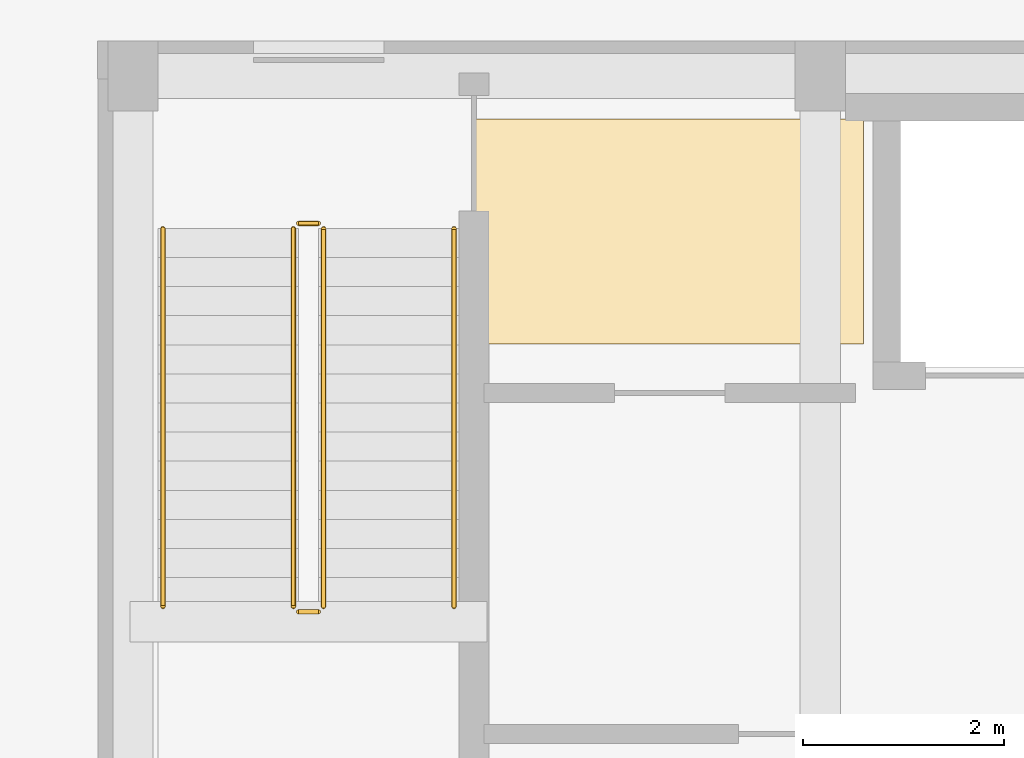
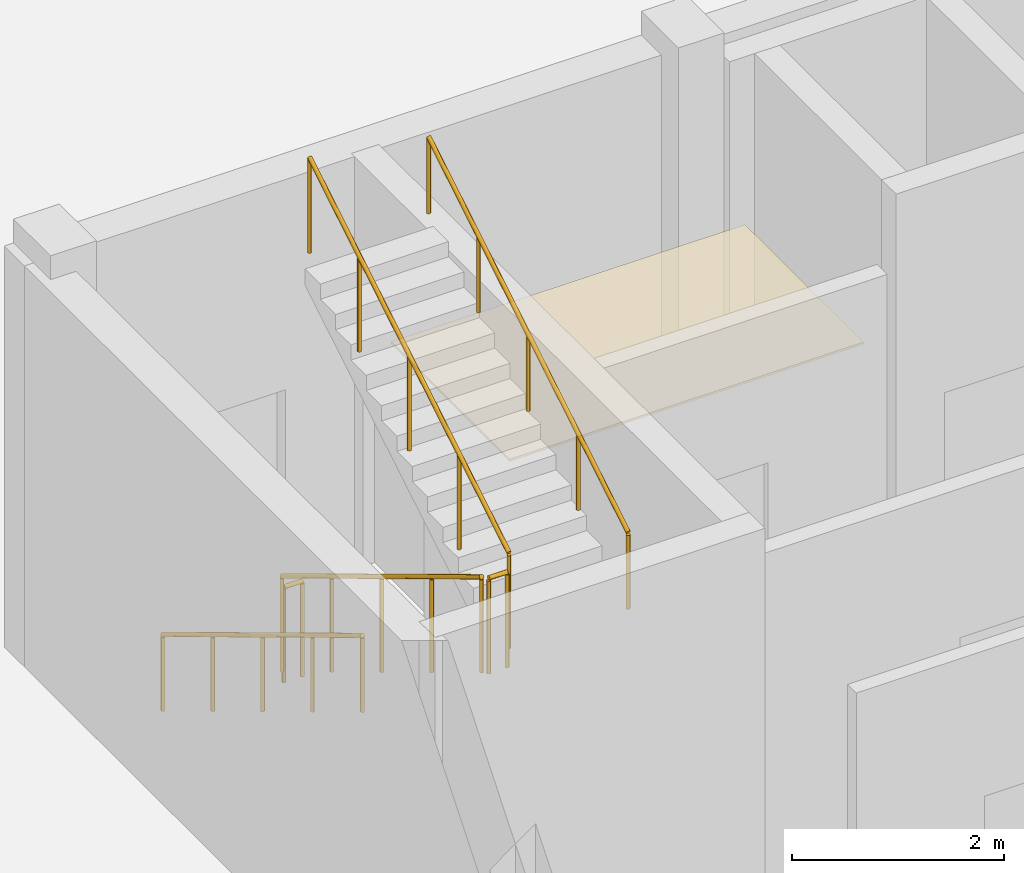
# One storey, part 65 of 85: 6 railings, 1 covering.
"""IFC4 building model written with IfcOpenShell, lengths in metres."""

from ifc_helpers import new_model, si_unit, derived_unit, direction, frame, origin, origin_2d, place, context, subcontext, project, spatial, polyline, circle, outline, extrude, material, layer, layer_set, type_object, element, save


model = new_model("IFC4")

# Units and contexts
model_context = context("Model", 3, precision=1e-05, world=origin(), true_north=direction((0.0, 1.0)))
body_context = subcontext(model_context, "Body", "Model", "MODEL_VIEW")
ifc_project = project(units=[si_unit("LENGTHUNIT", "METRE"), si_unit("AREAUNIT", "SQUARE_METRE"), si_unit("VOLUMEUNIT", "CUBIC_METRE"), si_unit("PLANEANGLEUNIT", "RADIAN"), si_unit("MASSUNIT", "GRAM", prefix="KILO"), derived_unit("THERMALTRANSMITTANCEUNIT", [(si_unit("MASSUNIT", "GRAM", prefix="KILO"), 1), (si_unit("TIMEUNIT", "SECOND"), -3), (si_unit("THERMODYNAMICTEMPERATUREUNIT", "KELVIN"), -1)])], contexts=[model_context])

# Site, building, storey
site_placement = place(None, origin())
site = spatial("IfcSite", under=ifc_project, at=site_placement, CompositionType="ELEMENT")
building_placement = place(site_placement, origin())
building = spatial("IfcBuilding", under=site, at=building_placement, Name="Ochrekiln Boulevard Commons", CompositionType="ELEMENT")
storey_placement = place(building_placement, origin())
storey = spatial("IfcBuildingStorey", under=building, at=storey_placement, Name="L00", CompositionType="ELEMENT", Elevation=0.0)

# Covering
ifc_material_1 = material(Name="Mineral-fibre acoustic ceiling tile")
ifc_layer = layer(ifc_material_1, 0.02490234375)
ifc_layer_set = layer_set([ifc_layer], Name="Mineral-fibre acoustic ceiling tile")
covering_type = type_object("IfcCoveringType", Name="COV-CEIL-AC", PredefinedType="CEILING", material=ifc_layer_set)
covering_placement = place(storey_placement, frame((0.0, 0.0, 2.64990234375)))
element("IfcCovering", 1, at=covering_placement, inside=storey, type_object=covering_type, Name="L00 Acoustic Corridor Ceiling 15", PredefinedType="CEILING", context=body_context, shape_type="SweptSolid", body=[
    extrude(outline(polyline([(111.77001953125, 18.580078125), (115.6298828125, 18.580078125), (115.6298828125, 20.820068359375), (111.77001953125, 20.820068359375), (111.77001953125, 18.580078125)])), origin(), (0.0, 0.0, 1.0), 0.025146484375),
])

# Railings
ifc_material_2 = material(Name="Brushed stainless steel 316 tubular railing", Category="steel")
railing_type_1 = type_object("IfcRailingType", Name="RLG-HDR-900", PredefinedType="HANDRAIL", material=ifc_material_2)
railing_1_placement = place(storey_placement, frame((108.64990234375, 19.72998046875, 0.175048828125)))
element("IfcRailing", 2, at=railing_1_placement, inside=storey, type_object=railing_type_1, Name="L00 ST-E1 stair handrail 1", PredefinedType="HANDRAIL", context=body_context, shape_type="SweptSolid", body=[
    extrude(circle(Radius=0.02392578125, at=origin_2d()), frame((0.0, 0.0, 0.8759765625), z_axis=(0.0, -0.856198655849, 0.51664674752), x_axis=(1.0, 0.0, 0.0)), (0.0, 0.0, 1.0), 4.4033203125),
    extrude(circle(Radius=0.02099609375, at=origin_2d()), origin(), (0.0, 0.0, 1.0), 0.851806640625),
    extrude(circle(Radius=0.02099609375, at=origin_2d()), frame((0.0, -0.9423828125, 0.56884765625)), (0.0, 0.0, 1.0), 0.851806640625),
    extrude(circle(Radius=0.02099609375, at=origin_2d()), frame((0.0, -1.885009765625, 1.137451171875)), (0.0, 0.0, 1.0), 0.851806640625),
    extrude(circle(Radius=0.02099609375, at=origin_2d()), frame((0.0, -2.82763671875, 1.7060546875)), (0.0, 0.0, 1.0), 0.851806640625),
    extrude(circle(Radius=0.02099609375, at=origin_2d()), frame((0.0, -3.77001953125, 2.27490234375)), (0.0, 0.0, 1.0), 0.851806640625),
])
railing_2_placement = place(storey_placement, frame((111.550048828125, 15.9599609375, 2.625)))
element("IfcRailing", 3, at=railing_2_placement, inside=storey, type_object=railing_type_1, Name="L00 ST-E1 stair handrail 2", PredefinedType="HANDRAIL", context=body_context, shape_type="SweptSolid", body=[
    extrude(circle(Radius=0.02392578125, at=origin_2d()), frame((0.0, 0.0, 0.8759765625), z_axis=(0.0, 0.856198655849, 0.51664674752), x_axis=(-1.0, 0.0, 0.0)), (0.0, 0.0, 1.0), 4.4033203125),
    extrude(circle(Radius=0.02099609375, at=origin_2d()), origin(), (0.0, 0.0, 1.0), 0.851806640625),
    extrude(circle(Radius=0.02099609375, at=origin_2d()), frame((0.0, 0.9423828125, 0.56884765625)), (0.0, 0.0, 1.0), 0.851806640625),
    extrude(circle(Radius=0.02099609375, at=origin_2d()), frame((0.0, 1.885009765625, 1.137451171875)), (0.0, 0.0, 1.0), 0.851806640625),
    extrude(circle(Radius=0.02099609375, at=origin_2d()), frame((0.0, 2.82763671875, 1.7060546875)), (0.0, 0.0, 1.0), 0.851806640625),
    extrude(circle(Radius=0.02099609375, at=origin_2d()), frame((0.0, 3.77001953125, 2.27490234375)), (0.0, 0.0, 1.0), 0.851806640625),
])
railing_type_2 = type_object("IfcRailingType", Name="RLG-STR-1120", PredefinedType="BALUSTRADE", material=ifc_material_2)
railing_3_placement = place(storey_placement, frame((109.949951171875, 19.72998046875, 0.175048828125)))
element("IfcRailing", 4, at=railing_3_placement, inside=storey, type_object=railing_type_2, Name="L00 ST-E1 stair guard 1", PredefinedType="BALUSTRADE", context=body_context, shape_type="SweptSolid", body=[
    extrude(circle(Radius=0.02392578125, at=origin_2d()), frame((0.0, 0.0, 1.09619140625), z_axis=(0.0, -0.856198655849, 0.51664674752), x_axis=(1.0, 0.0, 0.0)), (0.0, 0.0, 1.0), 4.4033203125),
    extrude(circle(Radius=0.02099609375, at=origin_2d()), origin(), (0.0, 0.0, 1.0), 1.072021484375),
    extrude(circle(Radius=0.02099609375, at=origin_2d()), frame((0.0, -0.9423828125, 0.56884765625)), (0.0, 0.0, 1.0), 1.072021484375),
    extrude(circle(Radius=0.02099609375, at=origin_2d()), frame((0.0, -1.885009765625, 1.137451171875)), (0.0, 0.0, 1.0), 1.072021484375),
    extrude(circle(Radius=0.02099609375, at=origin_2d()), frame((0.0, -2.82763671875, 1.7060546875)), (0.0, 0.0, 1.0), 1.072021484375),
    extrude(circle(Radius=0.02099609375, at=origin_2d()), frame((0.0, -3.77001953125, 2.27490234375)), (0.0, 0.0, 1.0), 1.072021484375),
])
railing_4_placement = place(storey_placement, frame((110.0, 15.909912109375, 2.449951171875)))
element("IfcRailing", 5, at=railing_4_placement, inside=storey, type_object=railing_type_2, Name="L00 ST-E1 stair guard 2", PredefinedType="BALUSTRADE", context=body_context, shape_type="SweptSolid", body=[
    extrude(circle(Radius=0.02392578125, at=origin_2d()), frame((0.0, 0.0, 1.09619140625), z_axis=(1.0, 0.0, 0.0), x_axis=(0.0, 1.0, 0.0)), (0.0, 0.0, 1.0), 0.199951171875),
    extrude(circle(Radius=0.02099609375, at=origin_2d()), origin(), (0.0, 0.0, 1.0), 1.072021484375),
    extrude(circle(Radius=0.02099609375, at=origin_2d()), frame((0.199951171875, 0.0, 0.0)), (0.0, 0.0, 1.0), 1.072021484375),
])
railing_5_placement = place(storey_placement, frame((110.25, 15.9599609375, 2.625)))
element("IfcRailing", 6, at=railing_5_placement, inside=storey, type_object=railing_type_2, Name="L00 ST-E1 stair guard 3", PredefinedType="BALUSTRADE", context=body_context, shape_type="SweptSolid", body=[
    extrude(circle(Radius=0.02392578125, at=origin_2d()), frame((0.0, 0.0, 1.09619140625), z_axis=(0.0, 0.856198655849, 0.51664674752), x_axis=(-1.0, 0.0, 0.0)), (0.0, 0.0, 1.0), 4.4033203125),
    extrude(circle(Radius=0.02099609375, at=origin_2d()), origin(), (0.0, 0.0, 1.0), 1.072021484375),
    extrude(circle(Radius=0.02099609375, at=origin_2d()), frame((0.0, 0.9423828125, 0.56884765625)), (0.0, 0.0, 1.0), 1.072021484375),
    extrude(circle(Radius=0.02099609375, at=origin_2d()), frame((0.0, 1.885009765625, 1.137451171875)), (0.0, 0.0, 1.0), 1.072021484375),
    extrude(circle(Radius=0.02099609375, at=origin_2d()), frame((0.0, 2.82763671875, 1.7060546875)), (0.0, 0.0, 1.0), 1.072021484375),
    extrude(circle(Radius=0.02099609375, at=origin_2d()), frame((0.0, 3.77001953125, 2.27490234375)), (0.0, 0.0, 1.0), 1.072021484375),
])
railing_6_placement = place(storey_placement, frame((110.0, 19.780029296875, 0.0)))
element("IfcRailing", 7, at=railing_6_placement, inside=storey, type_object=railing_type_2, Name="L00 ST-E1 stair guard 4", PredefinedType="BALUSTRADE", context=body_context, shape_type="SweptSolid", body=[
    extrude(circle(Radius=0.02392578125, at=origin_2d()), frame((0.0, 0.0, 1.09619140625), z_axis=(1.0, 0.0, 0.0), x_axis=(0.0, 1.0, 0.0)), (0.0, 0.0, 1.0), 0.199951171875),
    extrude(circle(Radius=0.02099609375, at=origin_2d()), origin(), (0.0, 0.0, 1.0), 1.072021484375),
    extrude(circle(Radius=0.02099609375, at=origin_2d()), frame((0.199951171875, 0.0, 0.0)), (0.0, 0.0, 1.0), 1.072021484375),
])

save(model, "model.ifc")
